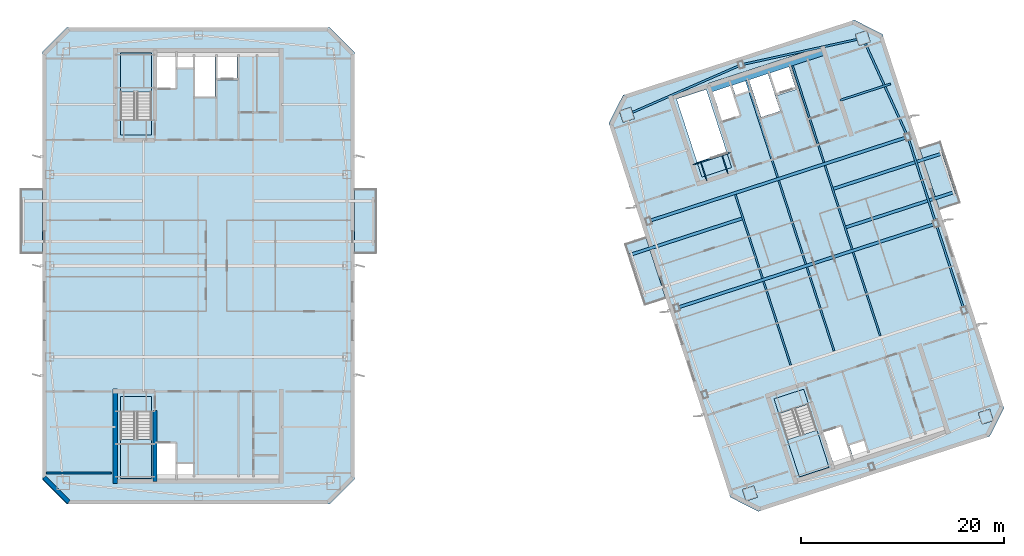
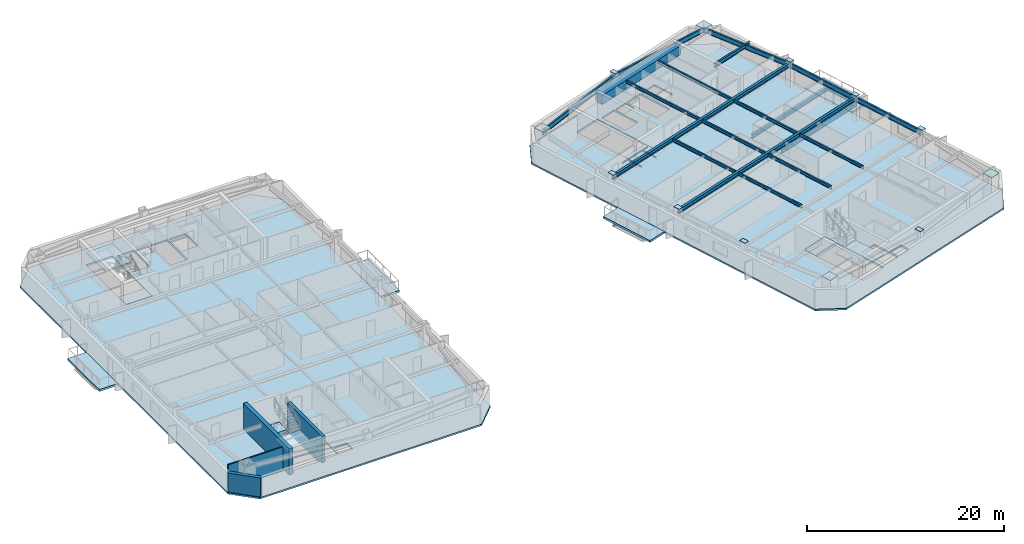
# One storey, part 4 of 17: 24 beams, 13 slabs, 12 plates, 4 walls, 3 elements without a shape of their own.
"""IFC4 building model written with IfcOpenShell, lengths in metres."""

from ifc_helpers import new_model, si_unit, direction, frame, frame_2d, origin, origin_2d, place, context, subcontext, project, spatial, polyline, rectangle, i_section, outline, extrude, material, layer, layer_set, material_profile, profile_set, type_object, element, aggregate, save


model = new_model("IFC4")

# Units and contexts
model_context = context("Model", 3, precision=1e-05, world=origin(), true_north=direction((0.0, 1.0)))
body_context = subcontext(model_context, "Body", "Model", "MODEL_VIEW")
ifc_project = project(units=[si_unit("LENGTHUNIT", "METRE"), si_unit("AREAUNIT", "SQUARE_METRE"), si_unit("VOLUMEUNIT", "CUBIC_METRE"), si_unit("PLANEANGLEUNIT", "RADIAN"), si_unit("MASSUNIT", "GRAM", prefix="KILO")], contexts=[model_context])

# Site, building, storey
site_placement = place(None, origin())
site = spatial("IfcSite", under=ifc_project, at=site_placement, CompositionType="ELEMENT")
building_placement = place(site_placement, origin())
building = spatial("IfcBuilding", under=site, at=building_placement, Name="Qiaolan Cultural Towers", CompositionType="ELEMENT")
storey_placement = place(building_placement, frame((0.0, 0.0, 247.199951171875)))
storey = spatial("IfcBuildingStorey", under=building, at=storey_placement, Name="L67", CompositionType="ELEMENT", Elevation=247.199951171875)

# Beams
ifc_material_1 = material(Name="Steel Q355B", Category="steel")
ifc_material_profile_1 = material_profile(ifc_material_1, i_section(OverallWidth=0.300048828125, OverallDepth=0.488037109375, WebThickness=0.010986328125, FlangeThickness=0.01806640625, at=origin_2d()), Name="HM488x300x11x18")
ifc_profile_set_1 = profile_set([ifc_material_profile_1], Name="Steel Q355B")
beam_type_1 = type_object("IfcBeamType", Name="BM-HM488x300x11x18", PredefinedType="BEAM", material=ifc_profile_set_1)
beam_1_placement = place(storey_placement, frame((83.742431640625, 38.6962890625, -0.52392578125), z_axis=(-0.951051779584, -0.309031572091, 0.0), x_axis=(0.309031572091, -0.951051779584, 0.0)))
element("IfcBeam", 1, at=beam_1_placement, inside=storey, type_object=beam_type_1, Name="L67 T2 Tree Balcony Back-Spanned Bracket Beam", PredefinedType="BEAM", context=body_context, shape_type="SweptSolid", body=[
    extrude(i_section(OverallWidth=0.300048828125, OverallDepth=0.488037109375, WebThickness=0.010986328125, FlangeThickness=0.01806640625, at=origin_2d()), origin(), (0.0, 0.0, 1.0), 11.75),
])
beam_2_placement = place(storey_placement, frame((93.823486328125, 37.765869140625, -0.52392578125), z_axis=(0.951061016342, 0.309003144311, 0.0), x_axis=(-0.309003144311, 0.951061016342, 0.0)))
element("IfcBeam", 2, at=beam_2_placement, inside=storey, type_object=beam_type_1, Name="L67 T2 Tree Balcony Back-Spanned Bracket Beam", PredefinedType="BEAM", context=body_context, shape_type="SweptSolid", body=[
    extrude(i_section(OverallWidth=0.300048828125, OverallDepth=0.488037109375, WebThickness=0.010986328125, FlangeThickness=0.01806640625, at=origin_2d()), origin(), (0.0, 0.0, 1.0), 11.449951171875),
])
beam_3_placement = place(storey_placement, frame((92.58740234375, 41.570068359375, -0.52392578125), z_axis=(0.951054749965, 0.309022430527, 0.0), x_axis=(-0.309022430527, 0.951054749965, 0.0)))
element("IfcBeam", 3, at=beam_3_placement, inside=storey, type_object=beam_type_1, Name="L67 T2 Tree Balcony Back-Spanned Bracket Beam", PredefinedType="BEAM", context=body_context, shape_type="SweptSolid", body=[
    extrude(i_section(OverallWidth=0.300048828125, OverallDepth=0.488037109375, WebThickness=0.010986328125, FlangeThickness=0.01806640625, at=origin_2d()), origin(), (0.0, 0.0, 1.0), 11.4501953125),
])
beam_4_placement = place(storey_placement, frame((77.208251953125, 29.84375, 2.696044921875), z_axis=(0.95105740976, 0.309014244561, 0.0), x_axis=(-0.309014244561, 0.95105740976, 0.0)))
element("IfcBeam", 4, at=beam_4_placement, inside=storey, type_object=beam_type_1, Name="L67 T2 Primary Transverse Girder V2", PredefinedType="BEAM", context=body_context, shape_type="SweptSolid", body=[
    extrude(i_section(OverallWidth=0.300048828125, OverallDepth=0.488037109375, WebThickness=0.010986328125, FlangeThickness=0.01806640625, at=origin_2d()), origin(), (0.0, 0.0, 1.0), 26.900146484375),
])
beam_5_placement = place(storey_placement, frame((74.42724609375, 38.4033203125, 2.696044921875), z_axis=(0.951056543098, 0.309016911884, 0.0), x_axis=(-0.309016911884, 0.951056543098, 0.0)))
element("IfcBeam", 5, at=beam_5_placement, inside=storey, type_object=beam_type_1, Name="L67 T2 Primary Transverse Girder V3", PredefinedType="BEAM", context=body_context, shape_type="SweptSolid", body=[
    extrude(i_section(OverallWidth=0.300048828125, OverallDepth=0.488037109375, WebThickness=0.010986328125, FlangeThickness=0.01806640625, at=origin_2d()), origin(), (0.0, 0.0, 1.0), 26.89990234375),
])
ifc_material_2 = material(Name="Steel Q355B", Category="steel")
ifc_material_profile_2 = material_profile(ifc_material_2, i_section(OverallWidth=0.175048828125, OverallDepth=0.35009765625, WebThickness=0.007080078125, FlangeThickness=0.010986328125, at=origin_2d()), Name="HN350x175x7x11")
ifc_profile_set_2 = profile_set([ifc_material_profile_2], Name="Steel Q355B")
beam_type_2 = type_object("IfcBeamType", Name="BM-JST-HN350x175x7x11", PredefinedType="JOIST", material=ifc_profile_set_2)
beam_6_placement = place(storey_placement, frame((104.713134765625, 41.303955078125, -0.52392578125), z_axis=(-0.3090046493, 0.951060527364, 0.0), x_axis=(-0.951060527364, -0.3090046493, 0.0)))
element("IfcBeam", 6, at=beam_6_placement, inside=storey, type_object=beam_type_2, Name="L67 T2 Tree Balcony Outer Edge Beam", PredefinedType="JOIST", context=body_context, shape_type="SweptSolid", body=[
    extrude(i_section(OverallWidth=0.175048828125, OverallDepth=0.35009765625, WebThickness=0.007080078125, FlangeThickness=0.010986328125, at=origin_2d()), origin(), (0.0, 0.0, 1.0), 4.000244140625),
])
for number, where, z_axis, x_axis, name in (
    (7, (88.455078125, 24.192626953125, 2.76513671875), (-0.309020714809, 0.951055307445, 0.0), (-0.951055307445, -0.309020714809, 0.0), "L67 T2 Secondary Floor Joist U1-2"),
    (8, (85.673828125, 32.752197265625, 2.76513671875), (-0.309020714809, 0.951055307445, 0.0), (-0.951055307445, -0.309020714809, 0.0), "L67 T2 Secondary Floor Joist U1-3"),
    (9, (92.73486328125, 25.583251953125, 2.76513671875), (-0.309020714809, 0.951055307445, 0.0), (-0.951055307445, -0.309020714809, 0.0), "L67 T2 Secondary Floor Joist U2-2"),
    (10, (89.95361328125, 34.142578125, 2.76513671875), (-0.309020714809, 0.951055307445, 0.0), (-0.951055307445, -0.309020714809, 0.0), "L67 T2 Secondary Floor Joist U2-3"),
):
    element("IfcBeam", number, at=place(storey_placement, frame(where, z_axis=z_axis, x_axis=x_axis)), inside=storey, type_object=beam_type_2, Name=name, PredefinedType="JOIST", context=body_context, shape_type="SweptSolid", body=[
        extrude(i_section(OverallWidth=0.175048828125, OverallDepth=0.35009765625, WebThickness=0.007080078125, FlangeThickness=0.010986328125, at=origin_2d()), origin(), (0.0, 0.0, 1.0), 8.699951171875),
    ])
beam_7_placement = place(storey_placement, frame((87.172607421875, 42.7021484375, 2.76513671875), z_axis=(-0.309025649293, 0.951053704098, 0.0), x_axis=(-0.951053704098, -0.309025649293, 0.0)))
element("IfcBeam", 11, at=beam_7_placement, inside=storey, type_object=beam_type_2, Name="L67 T2 Secondary Floor Joist U2-4", PredefinedType="JOIST", context=body_context, shape_type="SweptSolid", body=[
    extrude(i_section(OverallWidth=0.175048828125, OverallDepth=0.35009765625, WebThickness=0.007080078125, FlangeThickness=0.010986328125, at=origin_2d()), origin(), (0.0, 0.0, 1.0), 10.050048828125),
])
for number, where, z_axis, x_axis, name in (
    (12, (97.2998046875, 27.06640625, 2.76513671875), (-0.309020714809, 0.951055307445, 0.0), (-0.951055307445, -0.309020714809, 0.0), "L67 T2 Secondary Floor Joist U3-2"),
    (13, (94.518798828125, 35.6259765625, 2.76513671875), (-0.309020714809, 0.951055307445, 0.0), (-0.951055307445, -0.309020714809, 0.0), "L67 T2 Secondary Floor Joist U3-3"),
):
    element("IfcBeam", number, at=place(storey_placement, frame(where, z_axis=z_axis, x_axis=x_axis)), inside=storey, type_object=beam_type_2, Name=name, PredefinedType="JOIST", context=body_context, shape_type="SweptSolid", body=[
        extrude(i_section(OverallWidth=0.175048828125, OverallDepth=0.35009765625, WebThickness=0.007080078125, FlangeThickness=0.010986328125, at=origin_2d()), origin(), (0.0, 0.0, 1.0), 8.699951171875),
    ])
beam_8_placement = place(storey_placement, frame((91.737548828125, 44.185546875, 2.76513671875), z_axis=(-0.309025649293, 0.951053704098, 0.0), x_axis=(-0.951053704098, -0.309025649293, 0.0)))
element("IfcBeam", 14, at=beam_8_placement, inside=storey, type_object=beam_type_2, Name="L67 T2 Secondary Floor Joist U3-4", PredefinedType="JOIST", context=body_context, shape_type="SweptSolid", body=[
    extrude(i_section(OverallWidth=0.175048828125, OverallDepth=0.35009765625, WebThickness=0.007080078125, FlangeThickness=0.010986328125, at=origin_2d()), origin(), (0.0, 0.0, 1.0), 10.050048828125),
])
ifc_material_3 = material(Name="Steel Q355B", Category="steel")
ifc_material_profile_3 = material_profile(ifc_material_3, i_section(OverallWidth=0.199951171875, OverallDepth=0.449951171875, WebThickness=0.009033203125, FlangeThickness=0.013916015625, at=origin_2d()), Name="HN450x200x9x14")
ifc_profile_set_3 = profile_set([ifc_material_profile_3], Name="Steel Q355B")
beam_type_3 = type_object("IfcBeamType", Name="BM-LNT-HN450x200x9x14", PredefinedType="LINTEL", material=ifc_profile_set_3)
beam_9_placement = place(storey_placement, frame((93.31787109375, 50.32421875, 2.715087890625), z_axis=(0.951060037126, 0.309006158161, 0.0), x_axis=(-0.309006158161, 0.951060037126, 0.0)))
element("IfcBeam", 15, at=beam_9_placement, inside=storey, type_object=beam_type_3, Name="L67 T2 Core Flank Tie Lintel EN", PredefinedType="LINTEL", context=body_context, shape_type="SweptSolid", body=[
    extrude(i_section(OverallWidth=0.199951171875, OverallDepth=0.449951171875, WebThickness=0.009033203125, FlangeThickness=0.013916015625, at=origin_2d()), origin(), (0.0, 0.0, 1.0), 5.25),
])
ifc_material_4 = material(Name="Concrete C50", Category="concrete")
ifc_material_profile_4 = material_profile(ifc_material_4, rectangle(XDim=0.89990234375, YDim=1.10009765625, at=origin_2d()), Name="RC900x1100")
ifc_profile_set_4 = profile_set([ifc_material_profile_4], Name="Concrete C50")
beam_type_4 = type_object("IfcBeamType", Name="BM-RC900x1100", PredefinedType="BEAM", material=ifc_profile_set_4)
beam_10_placement = place(storey_placement, frame((80.427978515625, 51.551025390625, 2.39013671875), z_axis=(0.951056266386, 0.309017763514, 0.0), x_axis=(-0.309017763514, 0.951056266386, 0.0)))
element("IfcBeam", 16, at=beam_10_placement, inside=storey, type_object=beam_type_4, Name="L67 T2 Core Header Girder N", PredefinedType="BEAM", context=body_context, shape_type="SweptSolid", body=[
    extrude(rectangle(XDim=0.89990234375, YDim=1.10009765625, at=origin_2d()), origin(), (0.0, 0.0, 1.0), 11.880126953125),
])
ifc_material_5 = material(Name="Steel Q355B", Category="steel")
ifc_material_profile_5 = material_profile(ifc_material_5, i_section(OverallWidth=0.199951171875, OverallDepth=0.60009765625, WebThickness=0.010986328125, FlangeThickness=0.01708984375, at=origin_2d()), Name="HN600x200x11x17")
ifc_profile_set_5 = profile_set([ifc_material_profile_5], Name="Steel Q355B")
beam_type_5 = type_object("IfcBeamType", Name="BM-SPD-HN600x200x11x17", PredefinedType="SPANDREL", material=ifc_profile_set_5)
for number, where, z_axis, x_axis, name in (
    (17, (105.57275390625, 29.5966796875, 2.64013671875), (-0.309000197986, 0.951061973609, 0.0), (-0.951061973609, -0.309000197986, 0.0), "L67 T2 Perimeter Spandrel Beam 4"),
    (18, (102.791748046875, 38.15625, 2.64013671875), (-0.309024734286, 0.951054001411, 0.0), (-0.951054001411, -0.309024734286, 0.0), "L67 T2 Perimeter Spandrel Beam 5"),
):
    element("IfcBeam", number, at=place(storey_placement, frame(where, z_axis=z_axis, x_axis=x_axis)), inside=storey, type_object=beam_type_5, Name=name, PredefinedType="SPANDREL", context=body_context, shape_type="SweptSolid", body=[
        extrude(i_section(OverallWidth=0.199951171875, OverallDepth=0.60009765625, WebThickness=0.010986328125, FlangeThickness=0.01708984375, at=origin_2d()), origin(), (0.0, 0.0, 1.0), 9.0),
    ])
beam_11_placement = place(storey_placement, frame((100.010498046875, 46.7158203125, 2.64013671875), z_axis=(-0.414500208282, 0.910049216985, 0.0), x_axis=(-0.910049216985, -0.414500208282, 0.0)))
element("IfcBeam", 19, at=beam_11_placement, inside=storey, type_object=beam_type_5, Name="L67 T2 Perimeter Spandrel Beam 6", PredefinedType="SPANDREL", context=body_context, shape_type="SweptSolid", body=[
    extrude(i_section(OverallWidth=0.199951171875, OverallDepth=0.60009765625, WebThickness=0.010986328125, FlangeThickness=0.01708984375, at=origin_2d()), origin(), (0.0, 0.0, 1.0), 10.70849609375),
])
beam_12_placement = place(storey_placement, frame((95.57177734375, 56.461181640625, 2.64013671875), z_axis=(-0.976843395078, -0.213955559619, 0.0), x_axis=(0.213955559619, -0.976843395078, 0.0)))
element("IfcBeam", 20, at=beam_12_placement, inside=storey, type_object=beam_type_5, Name="L67 T2 Perimeter Spandrel Beam 7", PredefinedType="SPANDREL", context=body_context, shape_type="SweptSolid", body=[
    extrude(i_section(OverallWidth=0.199951171875, OverallDepth=0.60009765625, WebThickness=0.010986328125, FlangeThickness=0.01708984375, at=origin_2d()), origin(), (0.0, 0.0, 1.0), 12.2998046875),
])
beam_13_placement = place(storey_placement, frame((83.556884765625, 53.82958984375, 2.64013671875), z_axis=(-0.916042038824, -0.401082264762, 0.0), x_axis=(0.401082264762, -0.916042038824, 0.0)))
element("IfcBeam", 21, at=beam_13_placement, inside=storey, type_object=beam_type_5, Name="L67 T2 Perimeter Spandrel Beam 8", PredefinedType="SPANDREL", context=body_context, shape_type="SweptSolid", body=[
    extrude(i_section(OverallWidth=0.199951171875, OverallDepth=0.60009765625, WebThickness=0.010986328125, FlangeThickness=0.01708984375, at=origin_2d()), origin(), (0.0, 0.0, 1.0), 12.299560546875),
])
ifc_material_6 = material(Name="Steel Q355B", Category="steel")
ifc_material_profile_6 = material_profile(ifc_material_6, i_section(OverallWidth=0.10009765625, OverallDepth=0.199951171875, WebThickness=0.005615234375, FlangeThickness=0.008056640625, at=origin_2d()), Name="HN200x100x5.5x8")
ifc_profile_set_6 = profile_set([ifc_material_profile_6], Name="Steel Q355B")
beam_type_6 = type_object("IfcBeamType", Name="BM-STTRIM-200", PredefinedType="BEAM", material=ifc_profile_set_6)
beam_14_placement = place(storey_placement, frame((78.773193359375, 43.958251953125, -0.4599609375), z_axis=(0.951072048947, 0.3089691857, 0.0), x_axis=(-0.3089691857, 0.951072048947, 0.0)))
element("IfcBeam", 22, at=beam_14_placement, inside=storey, type_object=beam_type_6, Name="L67 ST-E2 Floor Landing Header Beam", PredefinedType="BEAM", context=body_context, shape_type="SweptSolid", body=[
    extrude(i_section(OverallWidth=0.10009765625, OverallDepth=0.199951171875, WebThickness=0.005615234375, FlangeThickness=0.008056640625, at=origin_2d()), origin(), (0.0, 0.0, 1.0), 3.920166015625),
])
for number, where, z_axis, x_axis, name in (
    (23, (80.18115234375, 42.375732421875, -0.4599609375), (-0.308969394428, 0.951071981138, 0.0), (-0.951071981138, -0.308969394428, 0.0), "L67 ST-E2 Floor Landing Stringer 1"),
    (24, (82.2734375, 43.0556640625, -0.4599609375), (-0.308969394428, 0.951071981138, 0.0), (-0.951071981138, -0.308969394428, 0.0), "L67 ST-E2 Floor Landing Stringer 2"),
):
    element("IfcBeam", number, at=place(storey_placement, frame(where, z_axis=z_axis, x_axis=x_axis)), inside=storey, type_object=beam_type_6, Name=name, PredefinedType="BEAM", context=body_context, shape_type="SweptSolid", body=[
        extrude(i_section(OverallWidth=0.10009765625, OverallDepth=0.199951171875, WebThickness=0.005615234375, FlangeThickness=0.008056640625, at=origin_2d()), origin(), (0.0, 0.0, 1.0), 1.93994140625),
    ])

# Plates
ifc_material_7 = material(Name="Steel Q355B", Category="steel")
ifc_layer_1 = layer(ifc_material_7, 0.030029296875)
ifc_layer_set_1 = layer_set([ifc_layer_1], Name="Steel Q355B")
plate_type = type_object("IfcPlateType", Name="PL-ENDCAP-30", PredefinedType="USERDEFINED", material=ifc_layer_set_1)
for number, where, z_axis, x_axis, name in (
    (25, (84.42822265625, 11.538818359375, 3.201171875), (0.0, 0.0, 1.0), (0.951056516295, 0.309016994375, 0.0), "Tower Box Column Transition Seal Cap Plate CP-01"),
    (26, (107.7099609375, 19.103515625, 3.201171875), (0.0, 0.0, 1.0), (0.951056516295, 0.309016994375, 0.0), "Tower Box Column Transition Seal Cap Plate CP-01"),
    (27, (95.57177734375, 56.461181640625, 3.201171875), (0.0, 0.0, 1.0), (0.951056516295, 0.309016994375, 0.0), "Tower Box Column Transition Seal Cap Plate CP-01"),
    (28, (72.2900390625, 48.896484375, 3.201171875), (0.0, 0.0, 1.0), (0.951056516295, 0.309016994375, 0.0), "Tower Box Column Transition Seal Cap Plate CP-01"),
):
    element("IfcPlate", number, at=place(storey_placement, frame(where, z_axis=z_axis, x_axis=x_axis)), inside=storey, type_object=plate_type, Name=name, ObjectType="BASE_PLATE", PredefinedType="USERDEFINED", context=body_context, shape_type="SweptSolid", body=[
        extrude(rectangle(XDim=1.18994140625, YDim=1.18994140625, at=origin_2d()), origin(), (0.0, 0.0, 1.0), 0.030029296875),
    ])
for number, where, z_axis, x_axis, name in (
    (29, (79.989501953125, 21.2841796875, 3.201171875), (0.0, 0.0, 1.0), (0.951056516295, 0.309016994375, 0.0), "Tower Box Column Transition Seal Cap Plate CP-01"),
    (30, (77.208251953125, 29.84375, 3.201171875), (0.0, 0.0, 1.0), (0.951056516295, 0.309016994375, 0.0), "Tower Box Column Transition Seal Cap Plate CP-01"),
    (31, (74.42724609375, 38.4033203125, 3.201171875), (0.0, 0.0, 1.0), (0.951056516295, 0.309016994375, 0.0), "Tower Box Column Transition Seal Cap Plate CP-01"),
    (32, (105.57275390625, 29.5966796875, 3.201171875), (0.0, 0.0, 1.0), (0.951056516295, 0.309016994375, 0.0), "Tower Box Column Transition Seal Cap Plate CP-01"),
    (33, (102.791748046875, 38.15625, 3.201171875), (0.0, 0.0, 1.0), (0.951056516295, 0.309016994375, 0.0), "Tower Box Column Transition Seal Cap Plate CP-01"),
    (34, (100.010498046875, 46.7158203125, 3.201171875), (0.0, 0.0, 1.0), (0.951056516295, 0.309016994375, 0.0), "Tower Box Column Transition Seal Cap Plate CP-01"),
    (35, (96.443115234375, 14.17041015625, 3.201171875), (0.0, 0.0, 1.0), (0.951056516295, 0.309016994375, 0.0), "Tower Box Column Transition Seal Cap Plate CP-01"),
    (36, (83.556884765625, 53.82958984375, 3.201171875), (0.0, 0.0, 1.0), (0.951056516295, 0.309016994375, 0.0), "Tower Box Column Transition Seal Cap Plate CP-01"),
):
    element("IfcPlate", number, at=place(storey_placement, frame(where, z_axis=z_axis, x_axis=x_axis)), inside=storey, type_object=plate_type, Name=name, ObjectType="BASE_PLATE", PredefinedType="USERDEFINED", context=body_context, shape_type="SweptSolid", body=[
        extrude(rectangle(XDim=0.5400390625, YDim=0.739990234375, at=origin_2d()), origin(), (0.0, 0.0, 1.0), 0.030029296875),
    ])

# Slabs
ifc_material_8 = material(Name="Concrete C45", Category="concrete")
ifc_layer_2 = layer(ifc_material_8, 0.239990234375)
ifc_layer_set_2 = layer_set([ifc_layer_2], Name="Concrete C45")
slab_type_1 = type_object("IfcSlabType", Name="SL-BAL-240", PredefinedType="FLOOR", material=ifc_layer_set_2)
slab_1_placement = place(storey_placement, frame((0.0, 0.0, -0.239990234375)))
element("IfcSlab", 37, at=slab_1_placement, inside=storey, type_object=slab_type_1, Name="L67 T1 Planted Tree Balcony W", PredefinedType="FLOOR", context=body_context, shape_type="SweptSolid", body=[
    extrude(outline(polyline([(12.39990234375, 35.199951171875), (14.60009765625, 35.199951171875), (14.60009765625, 41.60009765625), (12.39990234375, 41.60009765625), (12.39990234375, 35.199951171875)])), origin(), (0.0, 0.0, 1.0), 0.239990234375),
])
slab_2_placement = place(storey_placement, frame((0.0, 0.0, -0.239990234375)))
element("IfcSlab", 38, at=slab_2_placement, inside=storey, type_object=slab_type_1, Name="L67 T1 Planted Tree Balcony E", PredefinedType="FLOOR", context=body_context, shape_type="SweptSolid", body=[
    extrude(outline(polyline([(45.39990234375, 35.199951171875), (47.60009765625, 35.199951171875), (47.60009765625, 41.60009765625), (45.39990234375, 41.60009765625), (45.39990234375, 35.199951171875)])), origin(), (0.0, 0.0, 1.0), 0.239990234375),
])
slab_3_placement = place(storey_placement, frame((0.0, 0.0, -0.239990234375)))
element("IfcSlab", 39, at=slab_3_placement, inside=storey, type_object=slab_type_1, Name="L67 T2 Planted Tree Balcony W", PredefinedType="FLOOR", context=body_context, shape_type="SweptSolid", body=[
    extrude(outline(polyline([(74.03173828125, 30.073486328125), (76.124267578125, 30.753173828125), (74.146484375, 36.840087890625), (72.05419921875, 36.16015625), (74.03173828125, 30.073486328125)])), origin(), (0.0, 0.0, 1.0), 0.239990234375),
])
slab_4_placement = place(storey_placement, frame((0.0, 0.0, -0.239990234375)))
element("IfcSlab", 40, at=slab_4_placement, inside=storey, type_object=slab_type_1, Name="L67 T2 Planted Tree Balcony E", PredefinedType="FLOOR", context=body_context, shape_type="SweptSolid", body=[
    extrude(outline(polyline([(103.13427734375, 39.529296875), (105.2265625, 40.209228515625), (103.248779296875, 46.2958984375), (101.156494140625, 45.615966796875), (103.13427734375, 39.529296875)])), origin(), (0.0, 0.0, 1.0), 0.239990234375),
])
ifc_material_9 = material(Name="Concrete C45", Category="concrete")
ifc_layer_3 = layer(ifc_material_9, 0.199951171875)
ifc_layer_set_3 = layer_set([ifc_layer_3], Name="Concrete C45")
slab_type_2 = type_object("IfcSlabType", Name="SL-HI-200", PredefinedType="FLOOR", material=ifc_layer_set_3)
slab_5_placement = place(storey_placement, frame((0.0, 0.0, -0.199951171875)))
element("IfcSlab", 41, at=slab_5_placement, inside=storey, type_object=slab_type_2, Name="L67 West Tower Floor Slab", PredefinedType="FLOOR", context=body_context, shape_type="SweptSolid", body=[
    extrude(outline(polyline([(17.0, 10.5), (43.0, 10.5), (45.39990234375, 12.89990234375), (45.39990234375, 55.10009765625), (43.0, 57.5), (17.0, 57.5), (14.60009765625, 55.10009765625), (14.60009765625, 12.89990234375), (17.0, 10.5)]), holes=[polyline([(22.300048828125, 21.10009765625), (22.300048828125, 13.0), (25.3798828125, 13.0), (25.3798828125, 21.10009765625), (22.300048828125, 21.10009765625)]), polyline([(25.3798828125, 46.89990234375), (25.3798828125, 55.0), (22.300048828125, 55.0), (22.300048828125, 46.89990234375), (25.3798828125, 46.89990234375)]), polyline([(25.89990234375, 13.199951171875), (27.75, 13.199951171875), (27.75, 16.449951171875), (25.89990234375, 16.449951171875), (25.89990234375, 13.199951171875)]), polyline([(27.93994140625, 13.25), (29.449951171875, 13.25), (29.449951171875, 14.419921875), (27.93994140625, 14.419921875), (27.93994140625, 13.25)]), polyline([(25.89990234375, 51.550048828125), (27.75, 51.550048828125), (27.75, 54.800048828125), (25.89990234375, 54.800048828125), (25.89990234375, 51.550048828125)]), polyline([(27.93994140625, 53.580078125), (29.449951171875, 53.580078125), (29.449951171875, 54.75), (27.93994140625, 54.75), (27.93994140625, 53.580078125)]), polyline([(31.8798828125, 52.27001953125), (33.820068359375, 52.27001953125), (33.820068359375, 54.75), (31.8798828125, 54.75), (31.8798828125, 52.27001953125)]), polyline([(29.679931640625, 50.719970703125), (31.659912109375, 50.719970703125), (31.659912109375, 54.75), (29.679931640625, 54.75), (29.679931640625, 50.719970703125)])]), origin(), (0.0, 0.0, 1.0), 0.199951171875),
])
slab_6_placement = place(storey_placement, frame((0.0, 0.0, -0.199951171875)))
element("IfcSlab", 42, at=slab_6_placement, inside=storey, type_object=slab_type_2, Name="L67 East Tower Floor Slab", PredefinedType="FLOOR", context=body_context, shape_type="SweptSolid", body=[
    extrude(outline(polyline([(85.26220703125, 9.7490234375), (108.08740234375, 17.165283203125), (109.5, 19.9375), (97.510009765625, 56.838623046875), (94.73779296875, 58.2509765625), (71.91259765625, 50.834716796875), (70.5, 48.0625), (82.489990234375, 11.161376953125), (85.26220703125, 9.7490234375)]), holes=[polyline([(86.80126953125, 20.868896484375), (89.30419921875, 13.165283203125), (92.2333984375, 14.116943359375), (89.73046875, 21.820556640625), (86.80126953125, 20.868896484375)]), polyline([(82.623046875, 43.69482421875), (80.1201171875, 51.3984375), (77.190673828125, 50.44677734375), (79.69384765625, 42.7431640625), (82.623046875, 43.69482421875)]), polyline([(92.666259765625, 14.468017578125), (94.42578125, 15.03955078125), (93.42138671875, 18.130615234375), (91.661865234375, 17.558837890625), (92.666259765625, 14.468017578125)]), polyline([(94.5908203125, 15.14599609375), (96.027099609375, 15.612548828125), (95.66552734375, 16.725341796875), (94.2294921875, 16.258544921875), (94.5908203125, 15.14599609375)]), polyline([(81.6806640625, 48.278076171875), (83.440185546875, 48.849609375), (82.435791015625, 51.940673828125), (80.67626953125, 51.368896484375), (81.6806640625, 48.278076171875)]), polyline([(82.993408203125, 50.839111328125), (84.4296875, 51.3056640625), (84.068115234375, 52.41845703125), (82.632080078125, 51.95166015625), (82.993408203125, 50.839111328125)]), polyline([(87.1455078125, 50.810791015625), (88.990478515625, 51.41015625), (88.22412109375, 53.768798828125), (86.379150390625, 53.169189453125), (87.1455078125, 50.810791015625)]), polyline([(85.5322265625, 48.65673828125), (87.415283203125, 49.2685546875), (86.169921875, 53.101318359375), (84.286865234375, 52.489501953125), (85.5322265625, 48.65673828125)])]), origin(), (0.0, 0.0, 1.0), 0.199951171875),
])

# Stair, slab
ifc_material_10 = material(Name="Concrete C45", Category="concrete")
stair_type = type_object("IfcStairType", Name="STR-CORE-1500", PredefinedType="HALF_TURN_STAIR", material=ifc_material_10)
stair_1_placement = place(storey_placement, origin())
stair_1 = element("IfcStair", 43, at=stair_1_placement, inside=storey, type_object=stair_type, Name="L67 Smokeproof Exit Stair ST-W1", PredefinedType="HALF_TURN_STAIR")
ifc_material_11 = material(Name="Concrete C45", Category="concrete")
ifc_layer_4 = layer(ifc_material_11, 0.199951171875)
ifc_layer_set_4 = layer_set([ifc_layer_4], Name="Concrete C45")
slab_type_3 = type_object("IfcSlabType", Name="SL-STAIR-LAND", PredefinedType="LANDING", material=ifc_layer_set_4)
slab_7_placement = place(storey_placement, frame((0.0, 0.0, 1.400146484375)))
slab_7 = element("IfcSlab", 44, at=slab_7_placement, type_object=slab_type_3, Name="ST-W1 landing 1", PredefinedType="LANDING", context=body_context, shape_type="SweptSolid", body=[
    extrude(outline(polyline([(22.300048828125, 16.851318359375), (22.300048828125, 13.0), (25.3798828125, 13.0), (25.3798828125, 16.851318359375), (22.300048828125, 16.851318359375)])), origin(), (0.0, 0.0, 1.0), 0.199951171875),
])
aggregate(stair_1, [slab_7])

stair_2_placement = place(storey_placement, origin())
stair_2 = element("IfcStair", 45, at=stair_2_placement, inside=storey, type_object=stair_type, Name="L67 Smokeproof Exit Stair ST-W2", PredefinedType="HALF_TURN_STAIR")
slab_8_placement = place(storey_placement, frame((0.0, 0.0, 1.400146484375)))
slab_8 = element("IfcSlab", 46, at=slab_8_placement, type_object=slab_type_3, Name="ST-W2 landing 1", PredefinedType="LANDING", context=body_context, shape_type="SweptSolid", body=[
    extrude(outline(polyline([(25.3798828125, 51.148681640625), (25.3798828125, 55.0), (22.300048828125, 55.0), (22.300048828125, 51.148681640625), (25.3798828125, 51.148681640625)])), origin(), (0.0, 0.0, 1.0), 0.199951171875),
])
aggregate(stair_2, [slab_8])

stair_3_placement = place(storey_placement, origin())
stair_3 = element("IfcStair", 47, at=stair_3_placement, inside=storey, type_object=stair_type, Name="L67 Smokeproof Exit Stair ST-E1", PredefinedType="HALF_TURN_STAIR")
slab_9_placement = place(storey_placement, frame((0.0, 0.0, 1.400146484375)))
slab_9 = element("IfcSlab", 48, at=slab_9_placement, type_object=slab_type_3, Name="ST-E1 landing 1", PredefinedType="LANDING", context=body_context, shape_type="SweptSolid", body=[
    extrude(outline(polyline([(88.114013671875, 16.828125), (89.30419921875, 13.165283203125), (92.2333984375, 14.116943359375), (91.04345703125, 17.77978515625), (88.114013671875, 16.828125)])), origin(), (0.0, 0.0, 1.0), 0.199951171875),
])
aggregate(stair_3, [slab_9])

# Slabs
ifc_material_12 = material(Name="Concrete C40", Category="concrete")
ifc_layer_5 = layer(ifc_material_12, 0.360107421875)
ifc_layer_set_5 = layer_set([ifc_layer_5], Name="Concrete C40")
slab_type_4 = type_object("IfcSlabType", Name="SL-STFLR-360", PredefinedType="LANDING", material=ifc_layer_set_5)
slab_10_placement = place(storey_placement, frame((0.0, 0.0, -0.35986328125)))
element("IfcSlab", 49, at=slab_10_placement, inside=storey, type_object=slab_type_4, Name="L67 ST-W1 Stair Floor Landing Slab", PredefinedType="LANDING", context=body_context, shape_type="SweptSolid", body=[
    extrude(outline(polyline([(22.302001953125, 21.097900390625), (22.302001953125, 19.548583984375), (25.3779296875, 19.548583984375), (25.3779296875, 21.097900390625), (22.302001953125, 21.097900390625)])), origin(), (0.0, 0.0, 1.0), 0.35986328125),
])
slab_11_placement = place(storey_placement, frame((0.0, 0.0, -0.35986328125)))
element("IfcSlab", 50, at=slab_11_placement, inside=storey, type_object=slab_type_4, Name="L67 ST-W2 Stair Floor Landing Slab", PredefinedType="LANDING", context=body_context, shape_type="SweptSolid", body=[
    extrude(outline(polyline([(25.3779296875, 46.902099609375), (25.3779296875, 48.451416015625), (22.302001953125, 48.451416015625), (22.302001953125, 46.902099609375), (25.3779296875, 46.902099609375)])), origin(), (0.0, 0.0, 1.0), 0.35986328125),
])
slab_12_placement = place(storey_placement, frame((0.0, 0.0, -0.35986328125)))
element("IfcSlab", 51, at=slab_12_placement, inside=storey, type_object=slab_type_4, Name="L67 ST-E1 Stair Floor Landing Slab", PredefinedType="LANDING", context=body_context, shape_type="SweptSolid", body=[
    extrude(outline(polyline([(86.8037109375, 20.867431640625), (87.282470703125, 19.39404296875), (90.2080078125, 20.3447265625), (89.729248046875, 21.818115234375), (86.8037109375, 20.867431640625)])), origin(), (0.0, 0.0, 1.0), 0.35986328125),
])
slab_13_placement = place(storey_placement, frame((0.0, 0.0, -0.35986328125)))
element("IfcSlab", 52, at=slab_13_placement, inside=storey, type_object=slab_type_4, Name="L67 ST-E2 Stair Floor Landing Slab", PredefinedType="LANDING", context=body_context, shape_type="SweptSolid", body=[
    extrude(outline(polyline([(82.62060546875, 43.6962890625), (82.141845703125, 45.169677734375), (79.21630859375, 44.21923828125), (79.695068359375, 42.74560546875), (82.62060546875, 43.6962890625)])), origin(), (0.0, 0.0, 1.0), 0.35986328125),
])

# Walls
ifc_material_13 = material(Name="Concrete C50", Category="concrete")
ifc_layer_6 = layer(ifc_material_13, 0.35009765625)
ifc_layer_set_6 = layer_set([ifc_layer_6], Name="Concrete C50")
wall_type_1 = type_object("IfcWallType", Name="WL-CORE-350", PredefinedType="SHEAR", material=ifc_layer_set_6)
wall_1_placement = place(storey_placement, frame((25.719970703125, 19.699951171875, 0.0), z_axis=(0.0, 0.0, 1.0), x_axis=(0.0, -1.0, 0.0)))
element("IfcWall", 53, at=wall_1_placement, inside=storey, type_object=wall_type_1, Name="L67 T1-CS Stair Core Dividing Web", PredefinedType="SHEAR", context=body_context, shape_type="SweptSolid", body=[
    extrude(rectangle(XDim=6.97998046875, YDim=0.35009765625, at=frame_2d((3.489990234375, 0.0))), origin(), (0.0, 0.0, 1.0), 3.199951171875),
])
ifc_material_14 = material(Name="Concrete C50", Category="concrete")
ifc_layer_7 = layer(ifc_material_14, 0.449951171875)
ifc_layer_set_7 = layer_set([ifc_layer_7], Name="Concrete C50")
wall_type_2 = type_object("IfcWallType", Name="WL-CORE-450", PredefinedType="SHEAR", material=ifc_layer_set_7)
wall_2_placement = place(storey_placement, frame((21.800048828125, 21.824951171875, 0.0), z_axis=(0.0, 0.0, 1.0), x_axis=(0.0, -1.0, 0.0)))
element("IfcWall", 54, at=wall_2_placement, inside=storey, type_object=wall_type_2, Name="L67 T1-CS West Core Shear Wall", PredefinedType="SHEAR", context=body_context, shape_type="SweptSolid", body=[
    extrude(rectangle(XDim=9.329833984375, YDim=0.449951171875, at=frame_2d((4.6650390625, 0.0))), origin(), (0.0, 0.0, 1.0), 3.199951171875),
])
ifc_material_15 = material(Name="Precast Concrete C50 Honed Stone Pier", Category="masonry")
ifc_layer_8 = layer(ifc_material_15, 0.39990234375)
ifc_layer_set_8 = layer_set([ifc_layer_8], Name="Precast Concrete C50 Honed Stone Pier")
wall_type_3 = type_object("IfcWallType", Name="WL-EXT-PIER-400", PredefinedType="SOLIDWALL", material=ifc_layer_set_8)
wall_3_placement = place(storey_placement, frame((17.199951171875, 10.699951171875, 0.0), z_axis=(0.0, 0.0, 1.0), x_axis=(-0.707070815327, 0.707142745217, 0.0)))
element("IfcWall", 55, at=wall_3_placement, inside=storey, type_object=wall_type_3, Name="L67 West Tower Precast Pier Facade Wall F8", PredefinedType="SOLIDWALL", context=body_context, shape_type="SweptSolid", body=[
    extrude(rectangle(XDim=3.39404296875, YDim=0.39990234375, at=frame_2d((1.697021484375, 0.0))), origin(), (0.0, 0.0, 1.0), 2.360107421875),
])
ifc_material_16 = material(Name="Autoclaved Aerated Concrete Block B06", Category="concrete")
ifc_layer_9 = layer(ifc_material_16, 0.14990234375)
ifc_layer_set_9 = layer_set([ifc_layer_9], Name="Autoclaved Aerated Concrete Block B06")
wall_type_4 = type_object("IfcWallType", Name="WL-PART-150", PredefinedType="PARTITIONING", material=ifc_layer_set_9)
wall_4_placement = place(storey_placement, frame((15.0, 13.550048828125, 0.0), z_axis=(0.0, 0.0, 1.0), x_axis=(1.0, 0.0, 0.0)))
element("IfcWall", 56, at=wall_4_placement, inside=storey, type_object=wall_type_4, Name="L67 T1 Flank Wall FLK-SW", PredefinedType="PARTITIONING", context=body_context, shape_type="SweptSolid", body=[
    extrude(rectangle(XDim=6.39990234375, YDim=0.14990234375, at=frame_2d((3.199951171875, 0.0))), origin(), (0.0, 0.0, 1.0), 2.925048828125),
])

save(model, "model.ifc")
